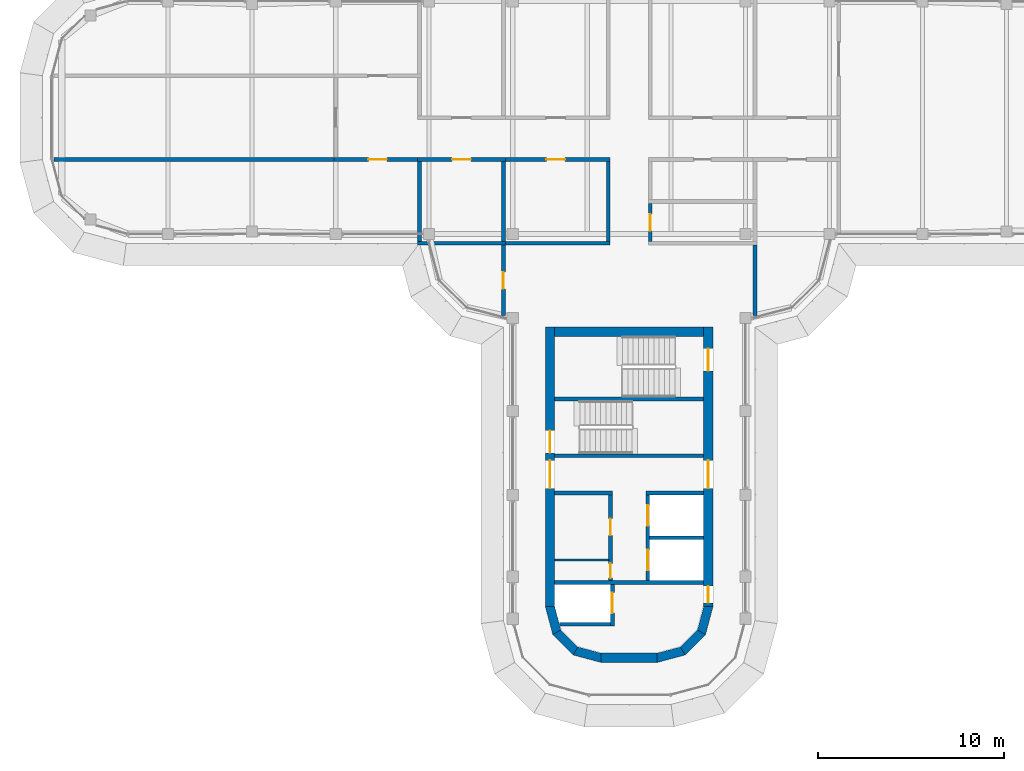
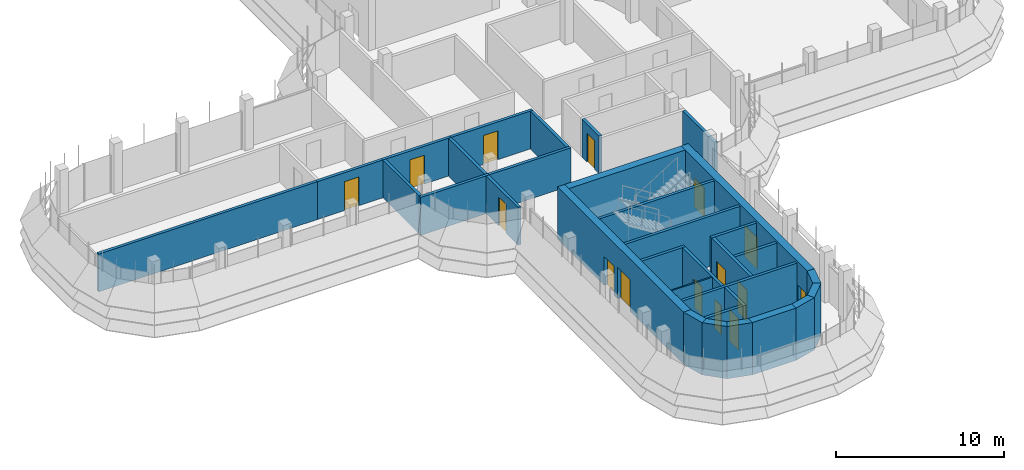
# One storey, part 13 of 19: 33 walls, 15 doors, 15 openings.
"""IFC4 building model written with IfcOpenShell, lengths in metres."""

from ifc_helpers import new_model, si_unit, direction, frame, frame_2d, origin, place, context, subcontext, project, spatial, polyline, rectangle, outline, extrude, material, layer, layer_set, type_object, element, fill, save


model = new_model("IFC4")

# Units and contexts
model_context = context("Model", 3, precision=1e-05, world=origin(), true_north=direction((0.0, 1.0)))
body_context = subcontext(model_context, "Body", "Model", "MODEL_VIEW")
ifc_project = project(units=[si_unit("LENGTHUNIT", "METRE"), si_unit("AREAUNIT", "SQUARE_METRE"), si_unit("VOLUMEUNIT", "CUBIC_METRE"), si_unit("PLANEANGLEUNIT", "RADIAN"), si_unit("MASSUNIT", "GRAM", prefix="KILO")], contexts=[model_context])

# Site, building, storey
site_placement = place(None, origin())
site = spatial("IfcSite", under=ifc_project, at=site_placement, CompositionType="ELEMENT")
building_placement = place(site_placement, origin())
building = spatial("IfcBuilding", under=site, at=building_placement, Name="Zarbagh Exchange Tower", CompositionType="ELEMENT")
storey_placement = place(building_placement, frame((0.0, 0.0, 276.39990234375)))
storey = spatial("IfcBuildingStorey", under=building, at=storey_placement, Name="L68", CompositionType="ELEMENT", Elevation=276.39990234375)

# Wall
ifc_material_1 = material(Name="Dense blockwork", Category="masonry")
ifc_layer_1 = layer(ifc_material_1, 0.10009765625)
ifc_layer_set_1 = layer_set([ifc_layer_1], Name="Core partition 100 mm blockwork")
wall_type_1 = type_object("IfcWallType", Name="Core partition 100 mm blockwork", PredefinedType="PARTITIONING", material=ifc_layer_set_1)
wall_1_placement = place(storey_placement, frame((-1.10009765625, -23.75, 0.0), z_axis=(0.0, 0.0, 1.0), x_axis=(-1.0, 0.0, 0.0)))
element("IfcWall", 1, at=wall_1_placement, inside=storey, type_object=wall_type_1, Name="South core partition wall CUT-E-460", PredefinedType="PARTITIONING", context=body_context, shape_type="SweptSolid", body=[
    extrude(rectangle(XDim=2.89990234375, YDim=0.10009765625, at=frame_2d((1.449951171875, 0.0))), origin(), (0.0, 0.0, 1.0), 3.650146484375),
])

# Wall, opening, door
ifc_material_2 = material(Name="Fire-rated plasterboard partition")
ifc_layer_2 = layer(ifc_material_2, 0.199951171875)
ifc_layer_set_2 = layer_set([ifc_layer_2], Name="RATED PARTITION 200")
wall_type_2 = type_object("IfcWallType", Name="RATED PARTITION 200", PredefinedType="PARTITIONING", material=ifc_layer_set_2)
wall_2_placement = place(storey_placement, frame((-1.02490234375, -2.25, 0.0), z_axis=(0.0, 0.0, 1.0), x_axis=(-1.0, 0.0, 0.0)))
wall_2 = element("IfcWall", 2, at=wall_2_placement, inside=storey, type_object=wall_type_2, Name="Partition W-2907", PredefinedType="PARTITIONING", context=body_context, shape_type="SweptSolid", body=[
    extrude(rectangle(XDim=5.8251953125, YDim=0.199951171875, at=frame_2d((2.91259765625, 0.0))), origin(), (0.0, 0.0, 1.0), 2.75),
])
opening_1_placement = place(wall_2_placement, frame((2.41259765625, 0.0, 0.0)))
opening_1 = element("IfcOpeningElement", 3, at=opening_1_placement, cuts=wall_2, Name="Opening D-2911", PredefinedType="OPENING", context=body_context, shape_type="SweptSolid", body=[
    extrude(rectangle(XDim=1.0, YDim=2.10009765625, at=frame_2d((0.5, 1.050048828125))), frame((0.0, 0.10986328125, 0.0), z_axis=(0.0, -1.0, 0.0), x_axis=(1.0, 0.0, 0.0)), (0.0, 0.0, 1.0), 0.219970703125),
])
ifc_material_3 = material(Name="Steel door set", Category="steel")
door_type_1 = type_object("IfcDoorType", Name="FIRE DOOR 1000 X 2100 FD30S", OperationType="NOTDEFINED", PredefinedType="DOOR", material=ifc_material_3)
door_1_placement = place(opening_1_placement, origin())
door_1 = element("IfcDoor", 4, at=door_1_placement, inside=storey, type_object=door_type_1, Name="Door D-2911", OperationType="SINGLE_SWING_RIGHT", OverallHeight=2.10009765625, OverallWidth=1.0, PredefinedType="DOOR", context=body_context, shape_type="SweptSolid", body=[
    extrude(rectangle(XDim=1.0, YDim=2.10009765625, at=frame_2d((0.5, 1.050048828125))), frame((0.0, 0.02490234375, 0.0), z_axis=(0.0, -1.0, 0.0), x_axis=(1.0, 0.0, 0.0)), (0.0, 0.0, 1.0), 0.050048828125),
])
fill(opening_1, door_1)

wall_3_placement = place(storey_placement, frame((-6.64990234375, -2.25, 0.0), z_axis=(0.0, 0.0, 1.0), x_axis=(-1.0, 0.0, 0.0)))
wall_3 = element("IfcWall", 5, at=wall_3_placement, inside=storey, type_object=wall_type_2, Name="Partition W-2908", PredefinedType="PARTITIONING", context=body_context, shape_type="SweptSolid", body=[
    extrude(rectangle(XDim=4.7001953125, YDim=0.199951171875, at=frame_2d((2.35009765625, 0.0))), origin(), (0.0, 0.0, 1.0), 2.75),
])
opening_2_placement = place(wall_3_placement, frame((1.85009765625, 0.0, 0.0)))
opening_2 = element("IfcOpeningElement", 6, at=opening_2_placement, cuts=wall_3, Name="Opening D-2912", PredefinedType="OPENING", context=body_context, shape_type="SweptSolid", body=[
    extrude(rectangle(XDim=1.0, YDim=2.10009765625, at=frame_2d((0.5, 1.050048828125))), frame((0.0, 0.10986328125, 0.0), z_axis=(0.0, -1.0, 0.0), x_axis=(1.0, 0.0, 0.0)), (0.0, 0.0, 1.0), 0.219970703125),
])
door_2_placement = place(opening_2_placement, origin())
door_2 = element("IfcDoor", 7, at=door_2_placement, inside=storey, type_object=door_type_1, Name="Door D-2912", OperationType="SINGLE_SWING_RIGHT", OverallHeight=2.10009765625, OverallWidth=1.0, PredefinedType="DOOR", context=body_context, shape_type="SweptSolid", body=[
    extrude(rectangle(XDim=1.0, YDim=2.10009765625, at=frame_2d((0.5, 1.050048828125))), frame((0.0, 0.02490234375, 0.0), z_axis=(0.0, -1.0, 0.0), x_axis=(1.0, 0.0, 0.0)), (0.0, 0.0, 1.0), 0.050048828125),
])
fill(opening_2, door_2)

wall_4_placement = place(storey_placement, frame((1.125, -4.60009765625, 0.0), z_axis=(0.0, 0.0, 1.0), x_axis=(0.0, -1.0, 0.0)))
wall_4 = element("IfcWall", 8, at=wall_4_placement, inside=storey, type_object=wall_type_2, Name="Partition W-2913", PredefinedType="PARTITIONING", context=body_context, shape_type="SweptSolid", body=[
    extrude(rectangle(XDim=2.0498046875, YDim=0.199951171875, at=frame_2d((1.02490234375, 0.0))), origin(), (0.0, 0.0, 1.0), 2.75),
])
opening_3_placement = place(wall_4_placement, frame((0.574951171875, 0.0, 0.0)))
opening_3 = element("IfcOpeningElement", 9, at=opening_3_placement, cuts=wall_4, Name="Opening D-2909", PredefinedType="OPENING", context=body_context, shape_type="SweptSolid", body=[
    extrude(rectangle(XDim=0.89990234375, YDim=2.10009765625, at=frame_2d((0.449951171875, 1.050048828125))), frame((0.0, 0.10986328125, 0.0), z_axis=(0.0, -1.0, 0.0), x_axis=(1.0, 0.0, 0.0)), (0.0, 0.0, 1.0), 0.219970703125),
])
ifc_material_4 = material(Name="Timber door leaf", Category="wood")
door_type_2 = type_object("IfcDoorType", Name="DOOR 900 X 2100", OperationType="NOTDEFINED", PredefinedType="DOOR", material=ifc_material_4)
door_3_placement = place(opening_3_placement, origin())
door_3 = element("IfcDoor", 10, at=door_3_placement, inside=storey, type_object=door_type_2, Name="Door D-2909", OperationType="SINGLE_SWING_RIGHT", OverallHeight=2.10009765625, OverallWidth=0.89990234375, PredefinedType="DOOR", context=body_context, shape_type="SweptSolid", body=[
    extrude(rectangle(XDim=0.89990234375, YDim=2.10009765625, at=frame_2d((0.449951171875, 1.050048828125))), frame((0.0, 0.02490234375, 0.0), z_axis=(0.0, -1.0, 0.0), x_axis=(1.0, 0.0, 0.0)), (0.0, 0.0, 1.0), 0.050048828125),
])
fill(opening_3, door_3)

# Walls
wall_5_placement = place(storey_placement, frame((-1.125, -6.64990234375, 0.0), z_axis=(0.0, 0.0, 1.0), x_axis=(0.0, 1.0, 0.0)))
element("IfcWall", 11, at=wall_5_placement, inside=storey, type_object=wall_type_2, Name="Partition W-2914", PredefinedType="PARTITIONING", context=body_context, shape_type="SweptSolid", body=[
    extrude(rectangle(XDim=4.2998046875, YDim=0.199951171875, at=frame_2d((2.14990234375, 0.0))), origin(), (0.0, 0.0, 1.0), 2.75),
])
wall_6_placement = place(storey_placement, frame((6.75, -10.6298828125, 0.0), z_axis=(0.0, 0.0, 1.0), x_axis=(0.0, 1.0, 0.0)))
element("IfcWall", 12, at=wall_6_placement, inside=storey, type_object=wall_type_2, Name="Partition W-2920", PredefinedType="PARTITIONING", context=body_context, shape_type="SweptSolid", body=[
    extrude(rectangle(XDim=3.77978515625, YDim=0.199951171875, at=frame_2d((1.889892578125, 0.0))), origin(), (0.0, 0.0, 1.0), 2.75),
])
wall_7_placement = place(storey_placement, frame((-6.85009765625, -6.75, 0.0), z_axis=(0.0, 0.0, 1.0), x_axis=(1.0, 0.0, 0.0)))
element("IfcWall", 13, at=wall_7_placement, inside=storey, type_object=wall_type_2, Name="Partition W-2921", PredefinedType="PARTITIONING", context=body_context, shape_type="SweptSolid", body=[
    extrude(rectangle(XDim=5.8251953125, YDim=0.199951171875, at=frame_2d((2.91259765625, 0.0))), origin(), (0.0, 0.0, 1.0), 2.75),
])

# Wall, opening, door
wall_8_placement = place(storey_placement, frame((-6.75, -10.6298828125, 0.0), z_axis=(0.0, 0.0, 1.0), x_axis=(0.0, 1.0, 0.0)))
wall_8 = element("IfcWall", 14, at=wall_8_placement, inside=storey, type_object=wall_type_2, Name="Partition W-2922", PredefinedType="PARTITIONING", context=body_context, shape_type="SweptSolid", body=[
    extrude(rectangle(XDim=3.77978515625, YDim=0.199951171875, at=frame_2d((1.889892578125, 0.0))), origin(), (0.0, 0.0, 1.0), 2.75),
])
opening_4_placement = place(wall_8_placement, frame((1.43994140625, 0.0, 0.0)))
opening_4 = element("IfcOpeningElement", 15, at=opening_4_placement, cuts=wall_8, Name="Opening D-2913", PredefinedType="OPENING", context=body_context, shape_type="SweptSolid", body=[
    extrude(rectangle(XDim=0.89990234375, YDim=2.10009765625, at=frame_2d((0.449951171875, 1.050048828125))), frame((0.0, 0.10986328125, 0.0), z_axis=(0.0, -1.0, 0.0), x_axis=(1.0, 0.0, 0.0)), (0.0, 0.0, 1.0), 0.219970703125),
])
door_4_placement = place(opening_4_placement, origin())
door_4 = element("IfcDoor", 16, at=door_4_placement, inside=storey, type_object=door_type_2, Name="Door D-2913", OperationType="SINGLE_SWING_RIGHT", OverallHeight=2.10009765625, OverallWidth=0.89990234375, PredefinedType="DOOR", context=body_context, shape_type="SweptSolid", body=[
    extrude(rectangle(XDim=0.89990234375, YDim=2.10009765625, at=frame_2d((0.449951171875, 1.050048828125))), frame((0.0, 0.02490234375, 0.0), z_axis=(0.0, -1.0, 0.0), x_axis=(1.0, 0.0, 0.0)), (0.0, 0.0, 1.0), 0.050048828125),
])
fill(opening_4, door_4)

# Walls
wall_9_placement = place(storey_placement, frame((-6.75, -6.64990234375, 0.0), z_axis=(0.0, 0.0, 1.0), x_axis=(0.0, 1.0, 0.0)))
element("IfcWall", 17, at=wall_9_placement, inside=storey, type_object=wall_type_2, Name="Partition W-2932", PredefinedType="PARTITIONING", context=body_context, shape_type="SweptSolid", body=[
    extrude(rectangle(XDim=4.2998046875, YDim=0.199951171875, at=frame_2d((2.14990234375, 0.0))), origin(), (0.0, 0.0, 1.0), 2.75),
])
wall_10_placement = place(storey_placement, frame((-11.35009765625, -6.75, 0.0), z_axis=(0.0, 0.0, 1.0), x_axis=(1.0, 0.0, 0.0)))
element("IfcWall", 18, at=wall_10_placement, inside=storey, type_object=wall_type_2, Name="Partition W-2933", PredefinedType="PARTITIONING", context=body_context, shape_type="SweptSolid", body=[
    extrude(rectangle(XDim=4.7001953125, YDim=0.199951171875, at=frame_2d((2.35009765625, 0.0))), origin(), (0.0, 0.0, 1.0), 2.75),
])
wall_11_placement = place(storey_placement, frame((-11.25, -6.64990234375, 0.0), z_axis=(0.0, 0.0, 1.0), x_axis=(0.0, 1.0, 0.0)))
element("IfcWall", 19, at=wall_11_placement, inside=storey, type_object=wall_type_2, Name="Partition W-2934", PredefinedType="PARTITIONING", context=body_context, shape_type="SweptSolid", body=[
    extrude(rectangle(XDim=4.2998046875, YDim=0.199951171875, at=frame_2d((2.14990234375, 0.0))), origin(), (0.0, 0.0, 1.0), 2.75),
])

# Wall, opening, door
wall_12_placement = place(storey_placement, frame((-11.14990234375, -2.25, 0.0), z_axis=(0.0, 0.0, 1.0), x_axis=(-1.0, 0.0, 0.0)))
wall_12 = element("IfcWall", 20, at=wall_12_placement, inside=storey, type_object=wall_type_2, Name="Partition W-2939", PredefinedType="PARTITIONING", context=body_context, shape_type="SweptSolid", body=[
    extrude(rectangle(XDim=4.7001953125, YDim=0.199951171875, at=frame_2d((2.35009765625, 0.0))), origin(), (0.0, 0.0, 1.0), 2.75),
])
opening_5_placement = place(wall_12_placement, frame((1.85009765625, 0.0, 0.0)))
opening_5 = element("IfcOpeningElement", 21, at=opening_5_placement, cuts=wall_12, Name="Opening D-2916", PredefinedType="OPENING", context=body_context, shape_type="SweptSolid", body=[
    extrude(rectangle(XDim=1.0, YDim=2.10009765625, at=frame_2d((0.5, 1.050048828125))), frame((0.0, 0.10986328125, 0.0), z_axis=(0.0, -1.0, 0.0), x_axis=(1.0, 0.0, 0.0)), (0.0, 0.0, 1.0), 0.219970703125),
])
door_5_placement = place(opening_5_placement, origin())
door_5 = element("IfcDoor", 22, at=door_5_placement, inside=storey, type_object=door_type_1, Name="Door D-2916", OperationType="SINGLE_SWING_RIGHT", OverallHeight=2.10009765625, OverallWidth=1.0, PredefinedType="DOOR", context=body_context, shape_type="SweptSolid", body=[
    extrude(rectangle(XDim=1.0, YDim=2.10009765625, at=frame_2d((0.5, 1.050048828125))), frame((0.0, 0.02490234375, 0.0), z_axis=(0.0, -1.0, 0.0), x_axis=(1.0, 0.0, 0.0)), (0.0, 0.0, 1.0), 0.050048828125),
])
fill(opening_5, door_5)

# Walls
wall_13_placement = place(storey_placement, frame((-30.8798828125, -2.25, 0.0), z_axis=(0.0, 0.0, 1.0), x_axis=(1.0, 0.0, 0.0)))
element("IfcWall", 23, at=wall_13_placement, inside=storey, type_object=wall_type_2, Name="Partition W-2942", PredefinedType="PARTITIONING", context=body_context, shape_type="SweptSolid", body=[
    extrude(rectangle(XDim=15.22998046875, YDim=0.199951171875, at=frame_2d((7.614990234375, 0.0))), origin(), (0.0, 0.0, 1.0), 2.75),
])
ifc_material_5 = material(Name="Concrete C40/50", Category="concrete")
ifc_layer_3 = layer(ifc_material_5, 0.5)
ifc_layer_set_3 = layer_set([ifc_layer_3], Name="RC core corner wall 500 C40/50")
wall_type_3 = type_object("IfcWallType", Name="RC core corner wall 500 C40/50", PredefinedType="SHEAR", material=ifc_layer_set_3)
wall_14_placement = place(storey_placement, origin())
element("IfcWall", 24, at=wall_14_placement, inside=storey, type_object=wall_type_3, Name="CW10 core S corner W", PredefinedType="SHEAR", context=body_context, shape_type="SweptSolid", body=[
    extrude(outline(polyline([(-4.5, -26.25), (-4.09814453125, -27.75), (-3.6650390625, -27.5), (-4.0, -26.25), (-4.5, -26.25)])), origin(), (0.0, 0.0, 1.0), 3.800048828125),
])
wall_15_placement = place(storey_placement, origin())
element("IfcWall", 25, at=wall_15_placement, inside=storey, type_object=wall_type_3, Name="CW10 core S corner W", PredefinedType="SHEAR", context=body_context, shape_type="SweptSolid", body=[
    extrude(outline(polyline([(-4.09814453125, -27.75), (-3.0, -28.84814453125), (-2.75, -28.4150390625), (-3.6650390625, -27.5), (-4.09814453125, -27.75)])), origin(), (0.0, 0.0, 1.0), 3.800048828125),
])
wall_16_placement = place(storey_placement, origin())
element("IfcWall", 26, at=wall_16_placement, inside=storey, type_object=wall_type_3, Name="CW10 core S corner W", PredefinedType="SHEAR", context=body_context, shape_type="SweptSolid", body=[
    extrude(outline(polyline([(-3.0, -28.84814453125), (-1.5, -29.25), (-1.5, -28.75), (-2.75, -28.4150390625), (-3.0, -28.84814453125)])), origin(), (0.0, 0.0, 1.0), 3.800048828125),
])
wall_17_placement = place(storey_placement, origin())
element("IfcWall", 27, at=wall_17_placement, inside=storey, type_object=wall_type_3, Name="CW10 core S corner E", PredefinedType="SHEAR", context=body_context, shape_type="SweptSolid", body=[
    extrude(outline(polyline([(4.5, -26.25), (4.09814453125, -27.75), (3.6650390625, -27.5), (4.0, -26.25), (4.5, -26.25)])), origin(), (0.0, 0.0, 1.0), 3.800048828125),
])
wall_18_placement = place(storey_placement, origin())
element("IfcWall", 28, at=wall_18_placement, inside=storey, type_object=wall_type_3, Name="CW10 core S corner E", PredefinedType="SHEAR", context=body_context, shape_type="SweptSolid", body=[
    extrude(outline(polyline([(4.09814453125, -27.75), (3.0, -28.84814453125), (2.75, -28.4150390625), (3.6650390625, -27.5), (4.09814453125, -27.75)])), origin(), (0.0, 0.0, 1.0), 3.800048828125),
])
wall_19_placement = place(storey_placement, origin())
element("IfcWall", 29, at=wall_19_placement, inside=storey, type_object=wall_type_3, Name="CW10 core S corner E", PredefinedType="SHEAR", context=body_context, shape_type="SweptSolid", body=[
    extrude(outline(polyline([(3.0, -28.84814453125), (1.5, -29.25), (1.5, -28.75), (2.75, -28.4150390625), (3.0, -28.84814453125)])), origin(), (0.0, 0.0, 1.0), 3.800048828125),
])

# Wall, openings, doors
ifc_layer_4 = layer(ifc_material_5, 0.5)
ifc_layer_set_4 = layer_set([ifc_layer_4], Name="RC core wall 500 C40/50")
wall_type_4 = type_object("IfcWallType", Name="RC core wall 500 C40/50", PredefinedType="SHEAR", material=ifc_layer_set_4)
wall_20_placement = place(storey_placement, frame((-4.25, -11.25, 0.0), z_axis=(0.0, 0.0, 1.0), x_axis=(0.0, -1.0, 0.0)))
wall_20 = element("IfcWall", 30, at=wall_20_placement, inside=storey, type_object=wall_type_4, Name="CW9 core S W", PredefinedType="SHEAR", context=body_context, shape_type="SweptSolid", body=[
    extrude(rectangle(XDim=15.0, YDim=0.5, at=frame_2d((7.5, 0.0))), origin(), (0.0, 0.0, 1.0), 3.800048828125),
])
opening_6_placement = place(wall_20_placement, frame((7.14990234375, 0.0, 0.0)))
opening_6 = element("IfcOpeningElement", 31, at=opening_6_placement, cuts=wall_20, Name="Opening CD1-1500", PredefinedType="OPENING", context=body_context, shape_type="SweptSolid", body=[
    extrude(rectangle(XDim=1.5, YDim=2.300048828125, at=frame_2d((0.75, 1.14990234375))), frame((0.0, 0.260009765625, 0.0), z_axis=(0.0, -1.0, 0.0), x_axis=(1.0, 0.0, 0.0)), (0.0, 0.0, 1.0), 0.52001953125),
])
opening_7_placement = place(wall_20_placement, frame((5.550048828125, 0.0, 0.0)))
opening_7 = element("IfcOpeningElement", 32, at=opening_7_placement, cuts=wall_20, Name="Opening SD1-1200", PredefinedType="OPENING", context=body_context, shape_type="SweptSolid", body=[
    extrude(rectangle(XDim=1.199951171875, YDim=2.10009765625, at=frame_2d((0.60009765625, 1.050048828125))), frame((0.0, 0.260009765625, 0.0), z_axis=(0.0, -1.0, 0.0), x_axis=(1.0, 0.0, 0.0)), (0.0, 0.0, 1.0), 0.52001953125),
])
ifc_material_6 = material(Name="Steel", Category="steel")
door_type_3 = type_object("IfcDoorType", Name="Exit stair door 1200 x 2100", OperationType="NOTDEFINED", PredefinedType="DOOR", material=ifc_material_6)
door_6_placement = place(opening_7_placement, origin())
door_6 = element("IfcDoor", 33, at=door_6_placement, inside=storey, type_object=door_type_3, Name="South core stair door ST1", OperationType="SINGLE_SWING_RIGHT", OverallHeight=2.10009765625, OverallWidth=1.199951171875, PredefinedType="DOOR", context=body_context, shape_type="SweptSolid", body=[
    extrude(rectangle(XDim=1.199951171875, YDim=2.10009765625, at=frame_2d((0.60009765625, 1.050048828125))), frame((0.0, 0.02490234375, 0.0), z_axis=(0.0, -1.0, 0.0), x_axis=(1.0, 0.0, 0.0)), (0.0, 0.0, 1.0), 0.050048828125),
])
fill(opening_7, door_6)
door_type_4 = type_object("IfcDoorType", Name="Lift lobby double door 1500 x 2300", OperationType="NOTDEFINED", PredefinedType="DOOR", material=ifc_material_6)
door_7_placement = place(opening_6_placement, origin())
door_7 = element("IfcDoor", 34, at=door_7_placement, inside=storey, type_object=door_type_4, Name="South core lift lobby door LOBBY-E", OperationType="DOUBLE_DOOR_SINGLE_SWING", OverallHeight=2.300048828125, OverallWidth=1.5, PredefinedType="DOOR", context=body_context, shape_type="SweptSolid", body=[
    extrude(rectangle(XDim=1.5, YDim=2.300048828125, at=frame_2d((0.75, 1.14990234375))), frame((0.0, 0.02490234375, 0.0), z_axis=(0.0, -1.0, 0.0), x_axis=(1.0, 0.0, 0.0)), (0.0, 0.0, 1.0), 0.050048828125),
])
fill(opening_6, door_7)

wall_21_placement = place(storey_placement, frame((4.25, -11.25, 0.0), z_axis=(0.0, 0.0, 1.0), x_axis=(0.0, -1.0, 0.0)))
wall_21 = element("IfcWall", 35, at=wall_21_placement, inside=storey, type_object=wall_type_4, Name="CW9 core S E", PredefinedType="SHEAR", context=body_context, shape_type="SweptSolid", body=[
    extrude(rectangle(XDim=15.0, YDim=0.5, at=frame_2d((7.5, 0.0))), origin(), (0.0, 0.0, 1.0), 3.800048828125),
])
opening_8_placement = place(wall_21_placement, frame((7.14990234375, 0.0, 0.0)))
opening_8 = element("IfcOpeningElement", 36, at=opening_8_placement, cuts=wall_21, Name="Opening CD1-1500", PredefinedType="OPENING", context=body_context, shape_type="SweptSolid", body=[
    extrude(rectangle(XDim=1.5, YDim=2.300048828125, at=frame_2d((0.75, 1.14990234375))), frame((0.0, 0.260009765625, 0.0), z_axis=(0.0, -1.0, 0.0), x_axis=(1.0, 0.0, 0.0)), (0.0, 0.0, 1.0), 0.52001953125),
])
opening_9_placement = place(wall_21_placement, frame((13.89990234375, 0.0, 0.0)))
opening_9 = element("IfcOpeningElement", 37, at=opening_9_placement, cuts=wall_21, Name="Opening CD2-900", PredefinedType="OPENING", context=body_context, shape_type="SweptSolid", body=[
    extrude(rectangle(XDim=0.89990234375, YDim=2.10009765625, at=frame_2d((0.449951171875, 1.050048828125))), frame((0.0, 0.260009765625, 0.0), z_axis=(0.0, -1.0, 0.0), x_axis=(1.0, 0.0, 0.0)), (0.0, 0.0, 1.0), 0.52001953125),
])
opening_10_placement = place(wall_21_placement, frame((1.14990234375, 0.0, 0.0)))
opening_10 = element("IfcOpeningElement", 38, at=opening_10_placement, cuts=wall_21, Name="Opening SD1-1200", PredefinedType="OPENING", context=body_context, shape_type="SweptSolid", body=[
    extrude(rectangle(XDim=1.199951171875, YDim=2.10009765625, at=frame_2d((0.60009765625, 1.050048828125))), frame((0.0, 0.260009765625, 0.0), z_axis=(0.0, -1.0, 0.0), x_axis=(1.0, 0.0, 0.0)), (0.0, 0.0, 1.0), 0.52001953125),
])
door_8_placement = place(opening_10_placement, origin())
door_8 = element("IfcDoor", 39, at=door_8_placement, inside=storey, type_object=door_type_3, Name="South core stair door ST2", OperationType="SINGLE_SWING_LEFT", OverallHeight=2.10009765625, OverallWidth=1.199951171875, PredefinedType="DOOR", context=body_context, shape_type="SweptSolid", body=[
    extrude(rectangle(XDim=1.199951171875, YDim=2.10009765625, at=frame_2d((0.60009765625, 1.050048828125))), frame((0.0, 0.02490234375, 0.0), z_axis=(0.0, -1.0, 0.0), x_axis=(1.0, 0.0, 0.0)), (0.0, 0.0, 1.0), 0.050048828125),
])
fill(opening_10, door_8)
door_type_5 = type_object("IfcDoorType", Name="Firefighting lobby door 900 x 2100", OperationType="NOTDEFINED", PredefinedType="DOOR", material=ifc_material_6)
door_9_placement = place(opening_9_placement, origin())
door_9 = element("IfcDoor", 40, at=door_9_placement, inside=storey, type_object=door_type_5, Name="South core firefighting lobby door FF-W", OperationType="SINGLE_SWING_LEFT", OverallHeight=2.10009765625, OverallWidth=0.89990234375, PredefinedType="DOOR", context=body_context, shape_type="SweptSolid", body=[
    extrude(rectangle(XDim=0.89990234375, YDim=2.10009765625, at=frame_2d((0.449951171875, 1.050048828125))), frame((0.0, 0.02490234375, 0.0), z_axis=(0.0, -1.0, 0.0), x_axis=(1.0, 0.0, 0.0)), (0.0, 0.0, 1.0), 0.050048828125),
])
fill(opening_9, door_9)
door_10_placement = place(opening_8_placement, origin())
door_10 = element("IfcDoor", 41, at=door_10_placement, inside=storey, type_object=door_type_4, Name="South core lift lobby door LOBBY-W", OperationType="DOUBLE_DOOR_SINGLE_SWING", OverallHeight=2.300048828125, OverallWidth=1.5, PredefinedType="DOOR", context=body_context, shape_type="SweptSolid", body=[
    extrude(rectangle(XDim=1.5, YDim=2.300048828125, at=frame_2d((0.75, 1.14990234375))), frame((0.0, 0.02490234375, 0.0), z_axis=(0.0, -1.0, 0.0), x_axis=(1.0, 0.0, 0.0)), (0.0, 0.0, 1.0), 0.050048828125),
])
fill(opening_8, door_10)

# Walls
wall_22_placement = place(storey_placement, frame((-4.0, -11.5, 0.0), z_axis=(0.0, 0.0, 1.0), x_axis=(1.0, 0.0, 0.0)))
element("IfcWall", 42, at=wall_22_placement, inside=storey, type_object=wall_type_4, Name="CW9 core S inner end", PredefinedType="SHEAR", context=body_context, shape_type="SweptSolid", body=[
    extrude(rectangle(XDim=8.0, YDim=0.5, at=frame_2d((4.0, 0.0))), origin(), (0.0, 0.0, 1.0), 3.800048828125),
])
wall_23_placement = place(storey_placement, frame((-1.5, -29.0, 0.0), z_axis=(0.0, 0.0, 1.0), x_axis=(1.0, 0.0, 0.0)))
element("IfcWall", 43, at=wall_23_placement, inside=storey, type_object=wall_type_4, Name="CW9 core S outer end", PredefinedType="SHEAR", context=body_context, shape_type="SweptSolid", body=[
    extrude(rectangle(XDim=3.0, YDim=0.5, at=frame_2d((1.5, 0.0))), origin(), (0.0, 0.0, 1.0), 3.800048828125),
])
ifc_layer_5 = layer(ifc_material_1, 0.199951171875)
ifc_layer_set_5 = layer_set([ifc_layer_5], Name="Shaft wall 200 mm blockwork")
wall_type_5 = type_object("IfcWallType", Name="Shaft wall 200 mm blockwork", PredefinedType="PARTITIONING", material=ifc_layer_set_5)
wall_24_placement = place(storey_placement, frame((4.0, -20.14990234375, 0.0), z_axis=(0.0, 0.0, 1.0), x_axis=(-1.0, 0.0, 0.0)))
element("IfcWall", 44, at=wall_24_placement, inside=storey, type_object=wall_type_5, Name="South core shaft wall AB-W", PredefinedType="PARTITIONING", context=body_context, shape_type="SweptSolid", body=[
    extrude(rectangle(XDim=3.10009765625, YDim=0.199951171875, at=frame_2d((1.550048828125, 0.0))), origin(), (0.0, 0.0, 1.0), 3.650146484375),
])

# Wall, openings, doors
wall_25_placement = place(storey_placement, frame((1.0, -24.85009765625, 0.0), z_axis=(0.0, 0.0, 1.0), x_axis=(0.0, 1.0, 0.0)))
wall_25 = element("IfcWall", 45, at=wall_25_placement, inside=storey, type_object=wall_type_5, Name="South core shaft wall LW-W", PredefinedType="PARTITIONING", context=body_context, shape_type="SweptSolid", body=[
    extrude(rectangle(XDim=4.60009765625, YDim=0.199951171875, at=frame_2d((2.300048828125, 0.0))), origin(), (0.0, 0.0, 1.0), 3.650146484375),
])
opening_11_placement = place(wall_25_placement, frame((0.550048828125, 0.0, 0.0)))
opening_11 = element("IfcOpeningElement", 46, at=opening_11_placement, cuts=wall_25, Name="Opening LD-1100", PredefinedType="OPENING", context=body_context, shape_type="SweptSolid", body=[
    extrude(rectangle(XDim=1.10009765625, YDim=2.300048828125, at=frame_2d((0.550048828125, 1.14990234375))), frame((0.0, 0.10986328125, 0.0), z_axis=(0.0, -1.0, 0.0), x_axis=(1.0, 0.0, 0.0)), (0.0, 0.0, 1.0), 0.219970703125),
])
opening_12_placement = place(wall_25_placement, frame((2.949951171875, 0.0, 0.0)))
opening_12 = element("IfcOpeningElement", 47, at=opening_12_placement, cuts=wall_25, Name="Opening LD-1100", PredefinedType="OPENING", context=body_context, shape_type="SweptSolid", body=[
    extrude(rectangle(XDim=1.10009765625, YDim=2.300048828125, at=frame_2d((0.550048828125, 1.14990234375))), frame((0.0, 0.10986328125, 0.0), z_axis=(0.0, -1.0, 0.0), x_axis=(1.0, 0.0, 0.0)), (0.0, 0.0, 1.0), 0.219970703125),
])
ifc_material_7 = material(Name="Stainless steel", Category="steel")
door_type_6 = type_object("IfcDoorType", Name="Lift landing door 1100 x 2300", OperationType="NOTDEFINED", PredefinedType="DOOR", material=ifc_material_7)
door_11_placement = place(opening_11_placement, origin())
door_11 = element("IfcDoor", 48, at=door_11_placement, inside=storey, type_object=door_type_6, Name="South core lift landing door LD-P-S1", OperationType="DOUBLE_DOOR_SLIDING", OverallHeight=2.300048828125, OverallWidth=1.10009765625, PredefinedType="DOOR", context=body_context, shape_type="SweptSolid", body=[
    extrude(rectangle(XDim=1.10009765625, YDim=2.300048828125, at=frame_2d((0.550048828125, 1.14990234375))), frame((0.0, 0.02490234375, 0.0), z_axis=(0.0, -1.0, 0.0), x_axis=(1.0, 0.0, 0.0)), (0.0, 0.0, 1.0), 0.050048828125),
])
fill(opening_11, door_11)
door_12_placement = place(opening_12_placement, origin())
door_12 = element("IfcDoor", 49, at=door_12_placement, inside=storey, type_object=door_type_6, Name="South core lift landing door LD-P-S2", OperationType="DOUBLE_DOOR_SLIDING", OverallHeight=2.300048828125, OverallWidth=1.10009765625, PredefinedType="DOOR", context=body_context, shape_type="SweptSolid", body=[
    extrude(rectangle(XDim=1.10009765625, YDim=2.300048828125, at=frame_2d((0.550048828125, 1.14990234375))), frame((0.0, 0.02490234375, 0.0), z_axis=(0.0, -1.0, 0.0), x_axis=(1.0, 0.0, 0.0)), (0.0, 0.0, 1.0), 0.050048828125),
])
fill(opening_12, door_12)

# Wall
wall_26_placement = place(storey_placement, frame((-0.89990234375, -20.14990234375, 0.0), z_axis=(0.0, 0.0, 1.0), x_axis=(-1.0, 0.0, 0.0)))
element("IfcWall", 50, at=wall_26_placement, inside=storey, type_object=wall_type_5, Name="South core shaft wall AB-E", PredefinedType="PARTITIONING", context=body_context, shape_type="SweptSolid", body=[
    extrude(rectangle(XDim=3.10009765625, YDim=0.199951171875, at=frame_2d((1.550048828125, 0.0))), origin(), (0.0, 0.0, 1.0), 3.650146484375),
])

# Wall, openings, doors
wall_27_placement = place(storey_placement, frame((-1.0, -24.85009765625, 0.0), z_axis=(0.0, 0.0, 1.0), x_axis=(0.0, 1.0, 0.0)))
wall_27 = element("IfcWall", 51, at=wall_27_placement, inside=storey, type_object=wall_type_5, Name="South core shaft wall LW-E", PredefinedType="PARTITIONING", context=body_context, shape_type="SweptSolid", body=[
    extrude(rectangle(XDim=4.60009765625, YDim=0.199951171875, at=frame_2d((2.300048828125, 0.0))), origin(), (0.0, 0.0, 1.0), 3.650146484375),
])
opening_13_placement = place(wall_27_placement, frame((0.125, 0.0, 0.0)))
opening_13 = element("IfcOpeningElement", 52, at=opening_13_placement, cuts=wall_27, Name="Opening CD3-800", PredefinedType="OPENING", context=body_context, shape_type="SweptSolid", body=[
    extrude(rectangle(XDim=0.800048828125, YDim=2.10009765625, at=frame_2d((0.39990234375, 1.050048828125))), frame((0.0, 0.10986328125, 0.0), z_axis=(0.0, -1.0, 0.0), x_axis=(1.0, 0.0, 0.0)), (0.0, 0.0, 1.0), 0.219970703125),
])
opening_14_placement = place(wall_27_placement, frame((2.425048828125, 0.0, 0.0)))
opening_14 = element("IfcOpeningElement", 53, at=opening_14_placement, cuts=wall_27, Name="Opening CD3-900", PredefinedType="OPENING", context=body_context, shape_type="SweptSolid", body=[
    extrude(rectangle(XDim=0.89990234375, YDim=2.10009765625, at=frame_2d((0.449951171875, 1.050048828125))), frame((0.0, 0.10986328125, 0.0), z_axis=(0.0, -1.0, 0.0), x_axis=(1.0, 0.0, 0.0)), (0.0, 0.0, 1.0), 0.219970703125),
])
door_type_7 = type_object("IfcDoorType", Name="Core room door 800 x 2100", OperationType="NOTDEFINED", PredefinedType="DOOR", material=ifc_material_6)
door_13_placement = place(opening_13_placement, origin())
door_13 = element("IfcDoor", 54, at=door_13_placement, inside=storey, type_object=door_type_7, Name="South core Store door RD-E-0", OperationType="SINGLE_SWING_LEFT", OverallHeight=2.10009765625, OverallWidth=0.800048828125, PredefinedType="DOOR", context=body_context, shape_type="SweptSolid", body=[
    extrude(rectangle(XDim=0.800048828125, YDim=2.10009765625, at=frame_2d((0.39990234375, 1.050048828125))), frame((0.0, 0.02490234375, 0.0), z_axis=(0.0, -1.0, 0.0), x_axis=(1.0, 0.0, 0.0)), (0.0, 0.0, 1.0), 0.050048828125),
])
fill(opening_13, door_13)
door_type_8 = type_object("IfcDoorType", Name="Core room door 900 x 2100", OperationType="NOTDEFINED", PredefinedType="DOOR", material=ifc_material_6)
door_14_placement = place(opening_14_placement, origin())
door_14 = element("IfcDoor", 55, at=door_14_placement, inside=storey, type_object=door_type_8, Name="South core Accessible WC door RD-E-1", OperationType="SINGLE_SWING_LEFT", OverallHeight=2.10009765625, OverallWidth=0.89990234375, PredefinedType="DOOR", context=body_context, shape_type="SweptSolid", body=[
    extrude(rectangle(XDim=0.89990234375, YDim=2.10009765625, at=frame_2d((0.449951171875, 1.050048828125))), frame((0.0, 0.02490234375, 0.0), z_axis=(0.0, -1.0, 0.0), x_axis=(1.0, 0.0, 0.0)), (0.0, 0.0, 1.0), 0.050048828125),
])
fill(opening_14, door_14)

# Walls
wall_28_placement = place(storey_placement, frame((4.0, -22.550048828125, 0.0), z_axis=(0.0, 0.0, 1.0), x_axis=(-1.0, 0.0, 0.0)))
element("IfcWall", 56, at=wall_28_placement, inside=storey, type_object=wall_type_5, Name="South core shaft wall TR-W", PredefinedType="PARTITIONING", context=body_context, shape_type="SweptSolid", body=[
    extrude(rectangle(XDim=2.89990234375, YDim=0.199951171875, at=frame_2d((1.449951171875, 0.0))), origin(), (0.0, 0.0, 1.0), 3.650146484375),
])
ifc_layer_6 = layer(ifc_material_5, 0.199951171875)
ifc_layer_set_6 = layer_set([ifc_layer_6], Name="Stair enclosure wall 200 mm RC C40/50")
wall_type_6 = type_object("IfcWallType", Name="Stair enclosure wall 200 mm RC C40/50", PredefinedType="SHEAR", material=ifc_layer_set_6)
wall_29_placement = place(storey_placement, frame((4.0, -24.949951171875, 0.0), z_axis=(0.0, 0.0, 1.0), x_axis=(-1.0, 0.0, 0.0)))
element("IfcWall", 57, at=wall_29_placement, inside=storey, type_object=wall_type_6, Name="South core lift shaft wall FFA", PredefinedType="SHEAR", context=body_context, shape_type="SweptSolid", body=[
    extrude(rectangle(XDim=8.0, YDim=0.199951171875, at=frame_2d((4.0, 0.0))), origin(), (0.0, 0.0, 1.0), 3.650146484375),
])

# Wall, opening, door
wall_30_placement = place(storey_placement, frame((-0.89990234375, -27.300048828125, 0.0), z_axis=(0.0, 0.0, 1.0), x_axis=(0.0, 1.0, 0.0)))
wall_30 = element("IfcWall", 58, at=wall_30_placement, inside=storey, type_object=wall_type_6, Name="South core lift shaft wall FFL", PredefinedType="SHEAR", context=body_context, shape_type="SweptSolid", body=[
    extrude(rectangle(XDim=2.25, YDim=0.199951171875, at=frame_2d((1.125, 0.0))), origin(), (0.0, 0.0, 1.0), 3.650146484375),
])
opening_15_placement = place(wall_30_placement, frame((0.699951171875, 0.0, 0.0)))
opening_15 = element("IfcOpeningElement", 59, at=opening_15_placement, cuts=wall_30, Name="Opening LD-1100", PredefinedType="OPENING", context=body_context, shape_type="SweptSolid", body=[
    extrude(rectangle(XDim=1.10009765625, YDim=2.300048828125, at=frame_2d((0.550048828125, 1.14990234375))), frame((0.0, 0.10986328125, 0.0), z_axis=(0.0, -1.0, 0.0), x_axis=(1.0, 0.0, 0.0)), (0.0, 0.0, 1.0), 0.219970703125),
])
door_15_placement = place(opening_15_placement, origin())
door_15 = element("IfcDoor", 60, at=door_15_placement, inside=storey, type_object=door_type_6, Name="South core lift landing door LD-F", OperationType="DOUBLE_DOOR_SLIDING", OverallHeight=2.300048828125, OverallWidth=1.10009765625, PredefinedType="DOOR", context=body_context, shape_type="SweptSolid", body=[
    extrude(rectangle(XDim=1.10009765625, YDim=2.300048828125, at=frame_2d((0.550048828125, 1.14990234375))), frame((0.0, 0.02490234375, 0.0), z_axis=(0.0, -1.0, 0.0), x_axis=(1.0, 0.0, 0.0)), (0.0, 0.0, 1.0), 0.050048828125),
])
fill(opening_15, door_15)

# Walls
wall_31_placement = place(storey_placement, origin())
element("IfcWall", 61, at=wall_31_placement, inside=storey, type_object=wall_type_6, Name="South core lift shaft wall FFX", PredefinedType="SHEAR", context=body_context, shape_type="SweptSolid", body=[
    extrude(outline(polyline([(-1.0, -27.10009765625), (-3.754638671875, -27.10009765625), (-3.700927734375, -27.300048828125), (-1.0, -27.300048828125), (-1.0, -27.10009765625)])), origin(), (0.0, 0.0, 1.0), 3.650146484375),
])
for number, where, z_axis, x_axis, name in (
    (62, (4.0, -18.14990234375, 0.0), (0.0, 0.0, 1.0), (-1.0, 0.0, 0.0), "South core stair wall BS"),
    (63, (4.0, -15.10009765625, 0.0), (0.0, 0.0, 1.0), (-1.0, 0.0, 0.0), "South core stair wall ST12"),
):
    element("IfcWall", number, at=place(storey_placement, frame(where, z_axis=z_axis, x_axis=x_axis)), inside=storey, type_object=wall_type_6, Name=name, PredefinedType="SHEAR", context=body_context, shape_type="SweptSolid", body=[
        extrude(rectangle(XDim=8.0, YDim=0.199951171875, at=frame_2d((4.0, 0.0))), origin(), (0.0, 0.0, 1.0), 3.650146484375),
    ])

save(model, "model.ifc")
